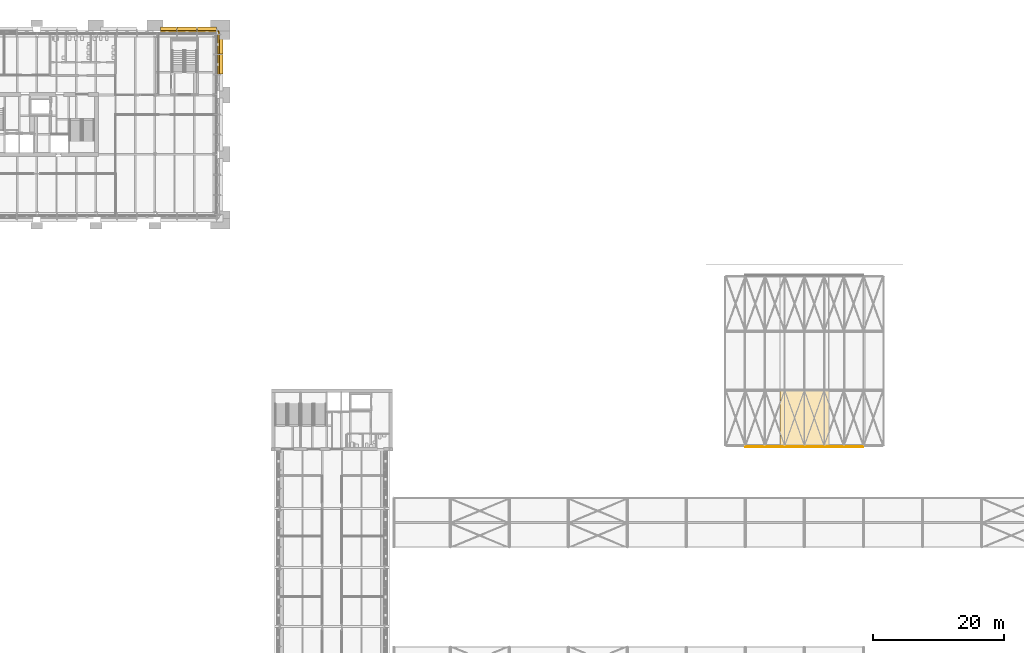
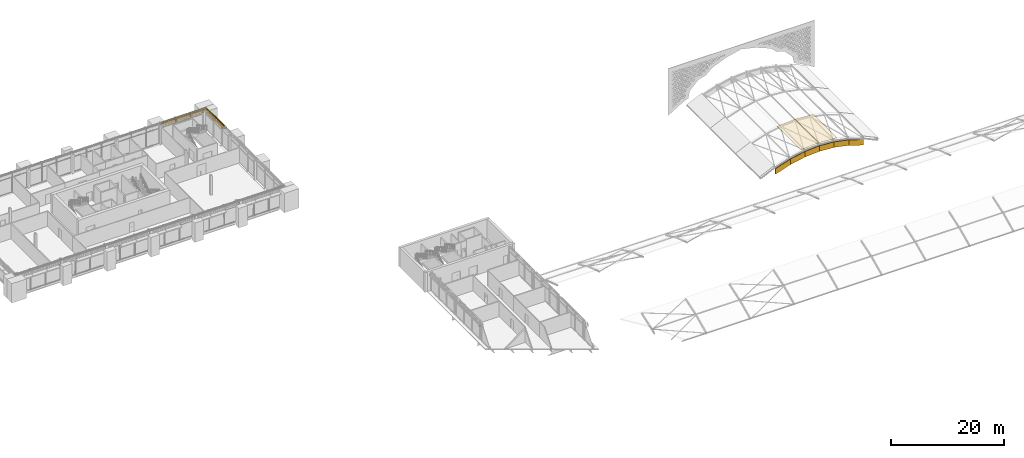
# One storey, part 49 of 54: 10 shading devices, 8 coverings.
"""IFC4 building model written with IfcOpenShell, lengths in metres."""

from ifc_helpers import new_model, si_unit, direction, frame, origin, origin_2d, place, context, subcontext, project, spatial, polyline, rectangle, outline, extrude, material, layer, layer_set, type_object, element, save


model = new_model("IFC4")

# Units and contexts
model_context = context("Model", 3, precision=1e-05, world=origin(), true_north=direction((0.0, 1.0)))
body_context = subcontext(model_context, "Body", "Model", "MODEL_VIEW")
ifc_project = project(units=[si_unit("LENGTHUNIT", "METRE"), si_unit("AREAUNIT", "SQUARE_METRE"), si_unit("VOLUMEUNIT", "CUBIC_METRE"), si_unit("PLANEANGLEUNIT", "RADIAN"), si_unit("MASSUNIT", "GRAM", prefix="KILO")], contexts=[model_context])

# Site, building, storey
site_placement = place(None, origin())
site = spatial("IfcSite", under=ifc_project, at=site_placement, CompositionType="ELEMENT")
building_placement = place(site_placement, origin())
building = spatial("IfcBuilding", under=site, at=building_placement, Name="Baradari Gate Terminus", CompositionType="ELEMENT")
storey_placement = place(building_placement, frame((0.0, 0.0, 15.89990234375)))
storey = spatial("IfcBuildingStorey", under=building, at=storey_placement, Name="L03", CompositionType="ELEMENT", Elevation=15.89990234375)

# Shading devices
ifc_material_1 = material(Name="Concrete C40/50 precast", Category="concrete")
ifc_layer_1 = layer(ifc_material_1, 0.14990234375)
ifc_layer_set_1 = layer_set([ifc_layer_1], Name="Concrete C40/50 precast")
shading_device_type_1 = type_object("IfcShadingDeviceType", Name="Chhajja band CJ-1 900x150", PredefinedType="AWNING", material=ifc_layer_set_1)
shading_device_1_placement = place(storey_placement, frame((56.094482421875, 144.919921875, 3.332763671875), z_axis=(0.0, 0.0, 1.0), x_axis=(1.0, 0.0, 0.0)))
element("IfcShadingDevice", 1, at=shading_device_1_placement, inside=storey, type_object=shading_device_type_1, Name="Chhajja band CJ-1 L03/TN bay 16", PredefinedType="AWNING", context=body_context, shape_type="SweptSolid", body=[
    extrude(rectangle(XDim=2.462158203125, YDim=0.89990234375, at=origin_2d()), origin(), (0.0, 0.0, 1.0), 0.14990234375),
])
shading_device_2_placement = place(storey_placement, frame((58.8916015625, 144.919921875, 3.332763671875), z_axis=(0.0, 0.0, 1.0), x_axis=(1.0, 0.0, 0.0)))
element("IfcShadingDevice", 2, at=shading_device_2_placement, inside=storey, type_object=shading_device_type_1, Name="Chhajja band CJ-1 L03/TN bay 17", PredefinedType="AWNING", context=body_context, shape_type="SweptSolid", body=[
    extrude(rectangle(XDim=2.97216796875, YDim=0.89990234375, at=origin_2d()), origin(), (0.0, 0.0, 1.0), 0.14990234375),
])
shading_device_3_placement = place(storey_placement, frame((61.927734375, 144.919921875, 3.332763671875), z_axis=(0.0, 0.0, 1.0), x_axis=(1.0, 0.0, 0.0)))
element("IfcShadingDevice", 3, at=shading_device_3_placement, inside=storey, type_object=shading_device_type_1, Name="Chhajja band CJ-1 L03/TN bay 18", PredefinedType="AWNING", context=body_context, shape_type="SweptSolid", body=[
    extrude(rectangle(XDim=2.939697265625, YDim=0.89990234375, at=origin_2d()), origin(), (0.0, 0.0, 1.0), 0.14990234375),
])
shading_device_4_placement = place(storey_placement, frame((63.919921875, 139.679931640625, 3.332763671875), z_axis=(0.0, 0.0, 1.0), x_axis=(0.0, 1.0, 0.0)))
element("IfcShadingDevice", 4, at=shading_device_4_placement, inside=storey, type_object=shading_device_type_1, Name="Chhajja band CJ-1 L03/TE bay 8", PredefinedType="AWNING", context=body_context, shape_type="SweptSolid", body=[
    extrude(rectangle(XDim=2.97998046875, YDim=0.89990234375, at=origin_2d()), origin(), (0.0, 0.0, 1.0), 0.14990234375),
])
shading_device_5_placement = place(storey_placement, frame((63.919921875, 142.7236328125, 3.332763671875), z_axis=(0.0, 0.0, 1.0), x_axis=(0.0, 1.0, 0.0)))
element("IfcShadingDevice", 5, at=shading_device_5_placement, inside=storey, type_object=shading_device_type_1, Name="Chhajja band CJ-1 L03/TE bay 9", PredefinedType="AWNING", context=body_context, shape_type="SweptSolid", body=[
    extrude(rectangle(XDim=2.947509765625, YDim=0.89990234375, at=origin_2d()), origin(), (0.0, 0.0, 1.0), 0.14990234375),
])

# Coverings
ifc_material_2 = material(Name="Sandstone", Category="masonry")
ifc_layer_2 = layer(ifc_material_2, 0.14990234375)
ifc_layer_set_2 = layer_set([ifc_layer_2], Name="Sandstone")
covering_type_1 = type_object("IfcCoveringType", Name="Hall gable arch band", PredefinedType="CLADDING", material=ifc_layer_set_2)
covering_1_placement = place(storey_placement, frame((144.0, 81.387451171875, -0.022705078125), z_axis=(0.0, 0.0, 1.0), x_axis=(1.0, 0.0, 0.0)))
element("IfcCovering", 6, at=covering_1_placement, inside=storey, type_object=covering_type_1, Name="Hall gable arch band S4", PredefinedType="CLADDING", context=body_context, shape_type="SweptSolid", body=[
    extrude(outline(polyline([(0.0, 1.199951171875), (0.0, 0.0), (3.0, 1.005615234375), (3.0, 2.20556640625), (0.0, 1.199951171875)])), frame((0.0, 0.074951171875, 0.0), z_axis=(0.0, -1.0, 0.0), x_axis=(1.0, 0.0, 0.0)), (0.0, 0.0, 1.0), 0.14990234375),
])
covering_2_placement = place(storey_placement, frame((147.0, 81.387451171875, 0.98291015625), z_axis=(0.0, 0.0, 1.0), x_axis=(1.0, 0.0, 0.0)))
element("IfcCovering", 7, at=covering_2_placement, inside=storey, type_object=covering_type_1, Name="Hall gable arch band S5", PredefinedType="CLADDING", context=body_context, shape_type="SweptSolid", body=[
    extrude(outline(polyline([(0.0, 1.199951171875), (0.0, 0.0), (3.0, 0.602783203125), (3.0, 1.802734375), (0.0, 1.199951171875)])), frame((0.0, 0.074951171875, 0.0), z_axis=(0.0, -1.0, 0.0), x_axis=(1.0, 0.0, 0.0)), (0.0, 0.0, 1.0), 0.14990234375),
])
covering_3_placement = place(storey_placement, frame((150.0, 81.387451171875, 1.585693359375), z_axis=(0.0, 0.0, 1.0), x_axis=(1.0, 0.0, 0.0)))
element("IfcCovering", 8, at=covering_3_placement, inside=storey, type_object=covering_type_1, Name="Hall gable arch band S6", PredefinedType="CLADDING", context=body_context, shape_type="SweptSolid", body=[
    extrude(outline(polyline([(0.0, 1.199951171875), (0.0, 0.0), (3.0, 0.199951171875), (3.0, 1.39990234375), (0.0, 1.199951171875)])), frame((0.0, 0.074951171875, 0.0), z_axis=(0.0, -1.0, 0.0), x_axis=(1.0, 0.0, 0.0)), (0.0, 0.0, 1.0), 0.14990234375),
])
covering_4_placement = place(storey_placement, frame((153.0, 81.387451171875, 1.582763671875), z_axis=(0.0, 0.0, 1.0), x_axis=(1.0, 0.0, 0.0)))
element("IfcCovering", 9, at=covering_4_placement, inside=storey, type_object=covering_type_1, Name="Hall gable arch band S7", PredefinedType="CLADDING", context=body_context, shape_type="SweptSolid", body=[
    extrude(outline(polyline([(0.0, 1.40283203125), (0.0, 0.202880859375), (3.0, 0.0), (3.0, 1.2001953125), (0.0, 1.40283203125)])), frame((0.0, 0.074951171875, 0.0), z_axis=(0.0, -1.0, 0.0), x_axis=(1.0, 0.0, 0.0)), (0.0, 0.0, 1.0), 0.14990234375),
])
covering_5_placement = place(storey_placement, frame((156.0, 81.387451171875, 0.977294921875), z_axis=(0.0, 0.0, 1.0), x_axis=(1.0, 0.0, 0.0)))
element("IfcCovering", 10, at=covering_5_placement, inside=storey, type_object=covering_type_1, Name="Hall gable arch band S8", PredefinedType="CLADDING", context=body_context, shape_type="SweptSolid", body=[
    extrude(outline(polyline([(0.0, 1.8056640625), (0.0, 0.60546875), (3.0, 0.0), (3.0, 1.199951171875), (0.0, 1.8056640625)])), frame((0.0, 0.074951171875, 0.0), z_axis=(0.0, -1.0, 0.0), x_axis=(1.0, 0.0, 0.0)), (0.0, 0.0, 1.0), 0.14990234375),
])
covering_6_placement = place(storey_placement, frame((159.0, 81.387451171875, -0.03076171875), z_axis=(0.0, 0.0, 1.0), x_axis=(1.0, 0.0, 0.0)))
element("IfcCovering", 11, at=covering_6_placement, inside=storey, type_object=covering_type_1, Name="Hall gable arch band S9", PredefinedType="CLADDING", context=body_context, shape_type="SweptSolid", body=[
    extrude(outline(polyline([(0.0, 2.2080078125), (0.0, 1.008056640625), (3.0, 0.0), (3.0, 1.199951171875), (0.0, 2.2080078125)])), frame((0.0, 0.074951171875, 0.0), z_axis=(0.0, -1.0, 0.0), x_axis=(1.0, 0.0, 0.0)), (0.0, 0.0, 1.0), 0.14990234375),
])
ifc_material_3 = material(Name="Laminated glass", Category="glass")
ifc_layer_3 = layer(ifc_material_3, 0.030029296875)
ifc_layer_set_3 = layer_set([ifc_layer_3], Name="Laminated glass")
covering_type_2 = type_object("IfcCoveringType", Name="Hall vault crown rooflight glazing", PredefinedType="ROOFING", material=ifc_layer_set_3)
for number, where, z_axis, x_axis, name in (
    (12, (149.27197265625, 81.550048828125, 3.2548828125), (-0.066258788899, 0.0, 0.997802471882), (0.0, 1.0, 0.0), "RF/L03/VR1-RG05"),
    (13, (153.0, 81.550048828125, 3.50244140625), (0.066258788899, 0.0, 0.997802471882), (0.0, 1.0, 0.0), "RF/L03/VR1-RG06"),
):
    element("IfcCovering", number, at=place(storey_placement, frame(where, z_axis=z_axis, x_axis=x_axis)), inside=storey, type_object=covering_type_2, Name=name, PredefinedType="ROOFING", context=body_context, shape_type="SweptSolid", body=[
        extrude(outline(polyline([(0.0, 0.0), (8.449951171875, 0.0), (8.449951171875, -3.736237831440493), (0.0, -3.736237831440493), (0.0, 0.0)])), origin(), (0.0, 0.0, -1.0), 0.030029296875),
    ])

# Shading devices
ifc_material_4 = material(Name="Concrete C50/60 precast", Category="concrete")
ifc_layer_4 = layer(ifc_material_4, 0.10009765625)
ifc_layer_set_4 = layer_set([ifc_layer_4], Name="Concrete C50/60 precast")
shading_device_type_2 = type_object("IfcShadingDeviceType", Name="Jali screen panel JS-1 100", PredefinedType="SHUTTER", material=ifc_layer_set_4)
shading_device_6_placement = place(storey_placement, frame((54.86328125, 144.719970703125, 3.583740234375), z_axis=(0.0, 0.0, 1.0), x_axis=(1.0, 0.0, 0.0)))
element("IfcShadingDevice", 14, at=shading_device_6_placement, inside=storey, type_object=shading_device_type_2, Name="Jali screen panel JS-1 L03/TN bay 16", PredefinedType="SHUTTER", context=body_context, shape_type="SweptSolid", body=[
    extrude(outline(polyline([(0.0, 0.0), (2.482177734375, 0.0), (2.482177734375, 0.60009765625), (0.0, 0.60009765625), (0.0, 0.0)]), holes=[polyline([(0.3369140625, 0.300048828125), (0.27197265625, 0.1875), (0.141845703125, 0.1875), (0.076904296875, 0.300048828125), (0.141845703125, 0.41259765625), (0.27197265625, 0.41259765625), (0.3369140625, 0.300048828125)]), polyline([(0.75048828125, 0.300048828125), (0.685546875, 0.1875), (0.5556640625, 0.1875), (0.490478515625, 0.300048828125), (0.5556640625, 0.41259765625), (0.685546875, 0.41259765625), (0.75048828125, 0.300048828125)]), polyline([(1.164306640625, 0.300048828125), (1.099365234375, 0.1875), (0.96923828125, 0.1875), (0.904296875, 0.300048828125), (0.96923828125, 0.41259765625), (1.099365234375, 0.41259765625), (1.164306640625, 0.300048828125)]), polyline([(1.577880859375, 0.300048828125), (1.512939453125, 0.1875), (1.383056640625, 0.1875), (1.31787109375, 0.300048828125), (1.383056640625, 0.41259765625), (1.512939453125, 0.41259765625), (1.577880859375, 0.300048828125)]), polyline([(1.99169921875, 0.300048828125), (1.9267578125, 0.1875), (1.796630859375, 0.1875), (1.731689453125, 0.300048828125), (1.796630859375, 0.41259765625), (1.9267578125, 0.41259765625), (1.99169921875, 0.300048828125)]), polyline([(2.4052734375, 0.300048828125), (2.34033203125, 0.1875), (2.21044921875, 0.1875), (2.145263671875, 0.300048828125), (2.21044921875, 0.41259765625), (2.34033203125, 0.41259765625), (2.4052734375, 0.300048828125)])]), frame((0.0, 0.050048828125, 0.0), z_axis=(0.0, -1.0, 0.0), x_axis=(1.0, 0.0, 0.0)), (0.0, 0.0, 1.0), 0.10009765625),
])
shading_device_7_placement = place(storey_placement, frame((57.385498046875, 144.719970703125, 3.583740234375), z_axis=(0.0, 0.0, 1.0), x_axis=(1.0, 0.0, 0.0)))
element("IfcShadingDevice", 15, at=shading_device_7_placement, inside=storey, type_object=shading_device_type_2, Name="Jali screen panel JS-1 L03/TN bay 17", PredefinedType="SHUTTER", context=body_context, shape_type="SweptSolid", body=[
    extrude(outline(polyline([(0.0, 0.0), (3.01220703125, 0.0), (3.01220703125, 0.60009765625), (0.0, 0.60009765625), (0.0, 0.0)]), holes=[polyline([(0.34521484375, 0.300048828125), (0.2802734375, 0.1875), (0.150146484375, 0.1875), (0.085205078125, 0.300048828125), (0.150146484375, 0.41259765625), (0.2802734375, 0.41259765625), (0.34521484375, 0.300048828125)]), polyline([(0.775390625, 0.300048828125), (0.71044921875, 0.1875), (0.58056640625, 0.1875), (0.515380859375, 0.300048828125), (0.58056640625, 0.41259765625), (0.71044921875, 0.41259765625), (0.775390625, 0.300048828125)]), polyline([(1.205810546875, 0.300048828125), (1.140869140625, 0.1875), (1.0107421875, 0.1875), (0.94580078125, 0.300048828125), (1.0107421875, 0.41259765625), (1.140869140625, 0.41259765625), (1.205810546875, 0.300048828125)]), polyline([(1.63623046875, 0.300048828125), (1.571044921875, 0.1875), (1.441162109375, 0.1875), (1.376220703125, 0.300048828125), (1.441162109375, 0.41259765625), (1.571044921875, 0.41259765625), (1.63623046875, 0.300048828125)]), polyline([(2.06640625, 0.300048828125), (2.00146484375, 0.1875), (1.871337890625, 0.1875), (1.806396484375, 0.300048828125), (1.871337890625, 0.41259765625), (2.00146484375, 0.41259765625), (2.06640625, 0.300048828125)]), polyline([(2.496826171875, 0.300048828125), (2.431640625, 0.1875), (2.3017578125, 0.1875), (2.23681640625, 0.300048828125), (2.3017578125, 0.41259765625), (2.431640625, 0.41259765625), (2.496826171875, 0.300048828125)]), polyline([(2.927001953125, 0.300048828125), (2.862060546875, 0.1875), (2.732177734375, 0.1875), (2.6669921875, 0.300048828125), (2.732177734375, 0.41259765625), (2.862060546875, 0.41259765625), (2.927001953125, 0.300048828125)])]), frame((0.0, 0.050048828125, 0.0), z_axis=(0.0, -1.0, 0.0), x_axis=(1.0, 0.0, 0.0)), (0.0, 0.0, 1.0), 0.10009765625),
])
shading_device_8_placement = place(storey_placement, frame((60.437744140625, 144.719970703125, 3.583740234375), z_axis=(0.0, 0.0, 1.0), x_axis=(1.0, 0.0, 0.0)))
element("IfcShadingDevice", 16, at=shading_device_8_placement, inside=storey, type_object=shading_device_type_2, Name="Jali screen panel JS-1 L03/TN bay 18", PredefinedType="SHUTTER", context=body_context, shape_type="SweptSolid", body=[
    extrude(outline(polyline([(0.0, 0.0), (3.2998046875, 0.0), (3.2998046875, 0.60009765625), (0.0, 0.60009765625), (0.0, 0.0)]), holes=[polyline([(0.336181640625, 0.300048828125), (0.271240234375, 0.1875), (0.14111328125, 0.1875), (0.076171875, 0.300048828125), (0.14111328125, 0.41259765625), (0.271240234375, 0.41259765625), (0.336181640625, 0.300048828125)]), polyline([(0.748779296875, 0.300048828125), (0.68359375, 0.1875), (0.5537109375, 0.1875), (0.48876953125, 0.300048828125), (0.5537109375, 0.41259765625), (0.68359375, 0.41259765625), (0.748779296875, 0.300048828125)]), polyline([(1.1611328125, 0.300048828125), (1.09619140625, 0.1875), (0.966064453125, 0.1875), (0.901123046875, 0.300048828125), (0.966064453125, 0.41259765625), (1.09619140625, 0.41259765625), (1.1611328125, 0.300048828125)]), polyline([(1.57373046875, 0.300048828125), (1.508544921875, 0.1875), (1.378662109375, 0.1875), (1.313720703125, 0.300048828125), (1.378662109375, 0.41259765625), (1.508544921875, 0.41259765625), (1.57373046875, 0.300048828125)]), polyline([(1.986083984375, 0.300048828125), (1.921142578125, 0.1875), (1.791015625, 0.1875), (1.72607421875, 0.300048828125), (1.791015625, 0.41259765625), (1.921142578125, 0.41259765625), (1.986083984375, 0.300048828125)]), polyline([(2.3984375, 0.300048828125), (2.33349609375, 0.1875), (2.20361328125, 0.1875), (2.138671875, 0.300048828125), (2.20361328125, 0.41259765625), (2.33349609375, 0.41259765625), (2.3984375, 0.300048828125)]), polyline([(2.81103515625, 0.300048828125), (2.74609375, 0.1875), (2.615966796875, 0.1875), (2.551025390625, 0.300048828125), (2.615966796875, 0.41259765625), (2.74609375, 0.41259765625), (2.81103515625, 0.300048828125)]), polyline([(3.223388671875, 0.300048828125), (3.158447265625, 0.1875), (3.028564453125, 0.1875), (2.96337890625, 0.300048828125), (3.028564453125, 0.41259765625), (3.158447265625, 0.41259765625), (3.223388671875, 0.300048828125)])]), frame((0.0, 0.050048828125, 0.0), z_axis=(0.0, -1.0, 0.0), x_axis=(1.0, 0.0, 0.0)), (0.0, 0.0, 1.0), 0.10009765625),
])
shading_device_9_placement = place(storey_placement, frame((63.719970703125, 138.169921875, 3.583740234375), z_axis=(0.0, 0.0, 1.0), x_axis=(0.0, 1.0, 0.0)))
element("IfcShadingDevice", 17, at=shading_device_9_placement, inside=storey, type_object=shading_device_type_2, Name="Jali screen panel JS-1 L03/TE bay 8", PredefinedType="SHUTTER", context=body_context, shape_type="SweptSolid", body=[
    extrude(outline(polyline([(0.0, 0.0), (3.02001953125, 0.0), (3.02001953125, 0.60009765625), (0.0, 0.60009765625), (0.0, 0.0)]), holes=[polyline([(0.345703125, 0.300048828125), (0.28076171875, 0.1875), (0.150634765625, 0.1875), (0.085693359375, 0.300048828125), (0.150634765625, 0.41259765625), (0.28076171875, 0.41259765625), (0.345703125, 0.300048828125)]), polyline([(0.777099609375, 0.300048828125), (0.712158203125, 0.1875), (0.58203125, 0.1875), (0.51708984375, 0.300048828125), (0.58203125, 0.41259765625), (0.712158203125, 0.41259765625), (0.777099609375, 0.300048828125)]), polyline([(1.20849609375, 0.300048828125), (1.1435546875, 0.1875), (1.013671875, 0.1875), (0.948486328125, 0.300048828125), (1.013671875, 0.41259765625), (1.1435546875, 0.41259765625), (1.20849609375, 0.300048828125)]), polyline([(1.639892578125, 0.300048828125), (1.574951171875, 0.1875), (1.445068359375, 0.1875), (1.3798828125, 0.300048828125), (1.445068359375, 0.41259765625), (1.574951171875, 0.41259765625), (1.639892578125, 0.300048828125)]), polyline([(2.071533203125, 0.300048828125), (2.00634765625, 0.1875), (1.87646484375, 0.1875), (1.8115234375, 0.300048828125), (1.87646484375, 0.41259765625), (2.00634765625, 0.41259765625), (2.071533203125, 0.300048828125)]), polyline([(2.5029296875, 0.300048828125), (2.437744140625, 0.1875), (2.307861328125, 0.1875), (2.242919921875, 0.300048828125), (2.307861328125, 0.41259765625), (2.437744140625, 0.41259765625), (2.5029296875, 0.300048828125)]), polyline([(2.934326171875, 0.300048828125), (2.869384765625, 0.1875), (2.7392578125, 0.1875), (2.67431640625, 0.300048828125), (2.7392578125, 0.41259765625), (2.869384765625, 0.41259765625), (2.934326171875, 0.300048828125)])]), frame((0.0, 0.050048828125, 0.0), z_axis=(0.0, -1.0, 0.0), x_axis=(1.0, 0.0, 0.0)), (0.0, 0.0, 1.0), 0.10009765625),
])
shading_device_10_placement = place(storey_placement, frame((63.719970703125, 141.22998046875, 3.583740234375), z_axis=(0.0, 0.0, 1.0), x_axis=(0.0, 1.0, 0.0)))
element("IfcShadingDevice", 18, at=shading_device_10_placement, inside=storey, type_object=shading_device_type_2, Name="Jali screen panel JS-1 L03/TE bay 9", PredefinedType="SHUTTER", context=body_context, shape_type="SweptSolid", body=[
    extrude(outline(polyline([(0.0, 0.0), (3.407470703125, 0.0), (3.407470703125, 0.60009765625), (0.0, 0.60009765625), (0.0, 0.0)]), holes=[polyline([(0.343017578125, 0.300048828125), (0.278076171875, 0.1875), (0.14794921875, 0.1875), (0.0830078125, 0.300048828125), (0.14794921875, 0.41259765625), (0.278076171875, 0.41259765625), (0.343017578125, 0.300048828125)]), polyline([(0.768798828125, 0.300048828125), (0.703857421875, 0.1875), (0.573974609375, 0.1875), (0.5087890625, 0.300048828125), (0.573974609375, 0.41259765625), (0.703857421875, 0.41259765625), (0.768798828125, 0.300048828125)]), polyline([(1.19482421875, 0.300048828125), (1.1298828125, 0.1875), (0.999755859375, 0.1875), (0.934814453125, 0.300048828125), (0.999755859375, 0.41259765625), (1.1298828125, 0.41259765625), (1.19482421875, 0.300048828125)]), polyline([(1.620849609375, 0.300048828125), (1.5556640625, 0.1875), (1.42578125, 0.1875), (1.36083984375, 0.300048828125), (1.42578125, 0.41259765625), (1.5556640625, 0.41259765625), (1.620849609375, 0.300048828125)]), polyline([(2.046630859375, 0.300048828125), (1.981689453125, 0.1875), (1.851806640625, 0.1875), (1.78662109375, 0.300048828125), (1.851806640625, 0.41259765625), (1.981689453125, 0.41259765625), (2.046630859375, 0.300048828125)]), polyline([(2.47265625, 0.300048828125), (2.40771484375, 0.1875), (2.277587890625, 0.1875), (2.212646484375, 0.300048828125), (2.277587890625, 0.41259765625), (2.40771484375, 0.41259765625), (2.47265625, 0.300048828125)]), polyline([(2.898681640625, 0.300048828125), (2.83349609375, 0.1875), (2.70361328125, 0.1875), (2.638671875, 0.300048828125), (2.70361328125, 0.41259765625), (2.83349609375, 0.41259765625), (2.898681640625, 0.300048828125)]), polyline([(3.324462890625, 0.300048828125), (3.259521484375, 0.1875), (3.129638671875, 0.1875), (3.064453125, 0.300048828125), (3.129638671875, 0.41259765625), (3.259521484375, 0.41259765625), (3.324462890625, 0.300048828125)])]), frame((0.0, 0.050048828125, 0.0), z_axis=(0.0, -1.0, 0.0), x_axis=(1.0, 0.0, 0.0)), (0.0, 0.0, 1.0), 0.10009765625),
])

save(model, "model.ifc")
